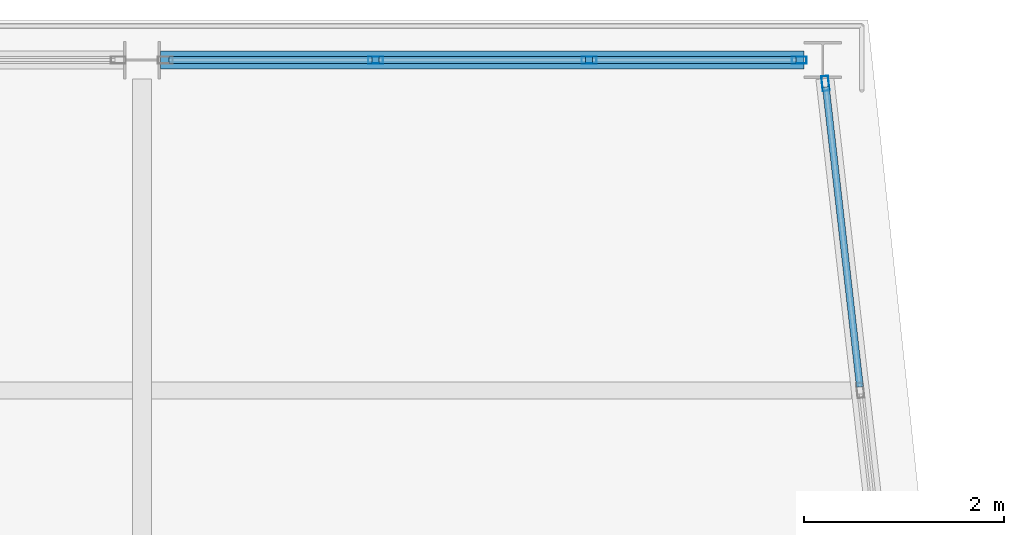
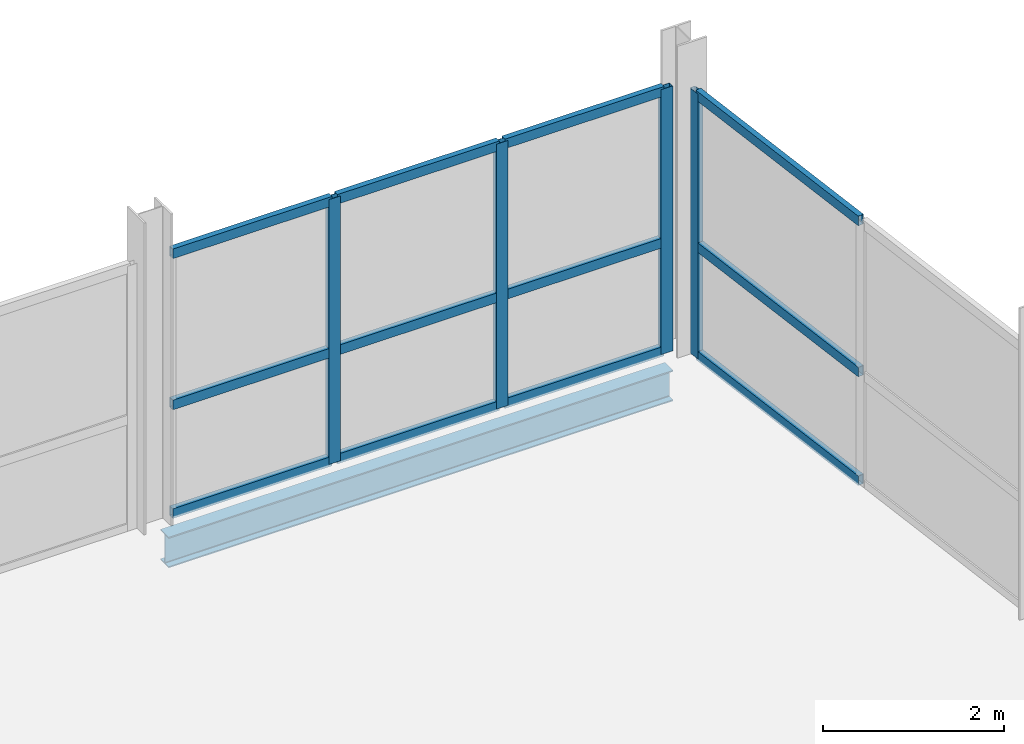
# One storey, part 13 of 20: 16 members, 1 beam, 2 elements without a shape of their own.
"""IFC4 building model written with IfcOpenShell, lengths in metres."""

from ifc_helpers import new_model, si_unit, direction, frame, origin, origin_2d, place, context, subcontext, project, spatial, hollow_rectangle, i_section, extrude, material, layer, layer_set, material_profile, profile_set, type_object, element, aggregate, save


model = new_model("IFC4")

# Units and contexts
model_context = context("Model", 3, precision=1e-05, world=origin(), true_north=direction((0.0, 1.0)))
body_context = subcontext(model_context, "Body", "Model", "MODEL_VIEW")
ifc_project = project(units=[si_unit("LENGTHUNIT", "METRE"), si_unit("AREAUNIT", "SQUARE_METRE"), si_unit("VOLUMEUNIT", "CUBIC_METRE"), si_unit("PLANEANGLEUNIT", "RADIAN"), si_unit("MASSUNIT", "GRAM", prefix="KILO")], contexts=[model_context])

# Site, building, storey
site_placement = place(None, origin())
site = spatial("IfcSite", under=ifc_project, at=site_placement, CompositionType="ELEMENT")
building_placement = place(site_placement, origin())
building = spatial("IfcBuilding", under=site, at=building_placement, Name="Quillay Park Conservatory", CompositionType="ELEMENT")
storey_placement = place(building_placement, frame((0.0, 0.0, 26.699951171875)))
storey = spatial("IfcBuildingStorey", under=building, at=storey_placement, Name="L06", CompositionType="ELEMENT", Elevation=26.699951171875)

# Curtain wall, member
ifc_material_1 = material(Name="Thermally Broken Anodised Aluminium 6063-T6", Category="aluminium")
ifc_layer = layer(ifc_material_1, 0.199951171875)
ifc_layer_set = layer_set([ifc_layer], Name="UNITISED CURTAIN WALL HERBARIUM (Thermally Broken Anodised Aluminium 6063-T6)")
curtain_wall_type = type_object("IfcCurtainWallType", Name="UNITISED CURTAIN WALL HERBARIUM", PredefinedType="USERDEFINED", material=ifc_layer_set)
curtain_wall_1_placement = place(storey_placement, origin())
curtain_wall_1 = element("IfcCurtainWall", 1, at=curtain_wall_1_placement, inside=storey, type_object=curtain_wall_type, Name="L06 Unitised Curtain Wall 064", ObjectType="UNITISED CURTAIN WALL", PredefinedType="USERDEFINED")
ifc_material_2 = material(Name="Thermally Broken Anodised Aluminium 6063-T6", Category="aluminium")
ifc_material_profile_1 = material_profile(ifc_material_2, hollow_rectangle(XDim=0.070068359375, YDim=0.14990234375, WallThickness=0.00341796875, at=origin_2d()), Name="AL70x150x3.5")
ifc_profile_set_1 = profile_set([ifc_material_profile_1], Name="Thermally Broken Anodised Aluminium 6063-T6")
member_type_1 = type_object("IfcMemberType", Name="CURTAIN WALL MULLION 70 X150", PredefinedType="MULLION", material=ifc_profile_set_1)
member_1_placement = place(storey_placement, frame((26.57666015625, 113.16650390625, 0.0), z_axis=(0.0, 0.0, 1.0), x_axis=(0.993605989969, 0.112903218278, 0.0)))
member_1 = element("IfcMember", 2, at=member_1_placement, type_object=member_type_1, Name="CW-T2 mullion 1", PredefinedType="MULLION", context=body_context, shape_type="SweptSolid", body=[
    extrude(hollow_rectangle(XDim=0.070068359375, YDim=0.14990234375, WallThickness=0.00341796875, at=origin_2d()), origin(), (0.0, 0.0, 1.0), 3.569091796875),
])

# Curtain wall, members
curtain_wall_2_placement = place(storey_placement, origin())
curtain_wall_2 = element("IfcCurtainWall", 3, at=curtain_wall_2_placement, inside=storey, type_object=curtain_wall_type, Name="L06 Unitised Curtain Wall 067", ObjectType="UNITISED CURTAIN WALL", PredefinedType="USERDEFINED")
member_2_placement = place(storey_placement, frame((22.083251953125, 113.39990234375, 0.0), z_axis=(0.0, 0.0, 1.0), x_axis=(0.0, 1.0, 0.0)))
member_2 = element("IfcMember", 4, at=member_2_placement, type_object=member_type_1, Name="CW-T2 mullion 2", PredefinedType="MULLION", context=body_context, shape_type="SweptSolid", body=[
    extrude(hollow_rectangle(XDim=0.070068359375, YDim=0.14990234375, WallThickness=0.00341796875, at=origin_2d()), origin(), (0.0, 0.0, 1.0), 3.569091796875),
])
member_3_placement = place(storey_placement, frame((24.216552734375, 113.39990234375, 0.0), z_axis=(0.0, 0.0, 1.0), x_axis=(0.0, 1.0, 0.0)))
member_3 = element("IfcMember", 5, at=member_3_placement, type_object=member_type_1, Name="CW-T2 mullion 3", PredefinedType="MULLION", context=body_context, shape_type="SweptSolid", body=[
    extrude(hollow_rectangle(XDim=0.070068359375, YDim=0.14990234375, WallThickness=0.00341796875, at=origin_2d()), origin(), (0.0, 0.0, 1.0), 3.569091796875),
])
member_4_placement = place(storey_placement, frame((26.31494140625, 113.39990234375, 0.0), z_axis=(0.0, 0.0, 1.0), x_axis=(0.0, 1.0, 0.0)))
member_4 = element("IfcMember", 6, at=member_4_placement, type_object=member_type_1, Name="CW-T2 mullion 4", PredefinedType="MULLION", context=body_context, shape_type="SweptSolid", body=[
    extrude(hollow_rectangle(XDim=0.070068359375, YDim=0.14990234375, WallThickness=0.00341796875, at=origin_2d()), origin(), (0.0, 0.0, 1.0), 3.569091796875),
])

# Member
ifc_material_3 = material(Name="Thermally Broken Anodised Aluminium 6063-T6", Category="aluminium")
ifc_material_profile_2 = material_profile(ifc_material_3, hollow_rectangle(XDim=0.070068359375, YDim=0.1298828125, WallThickness=0.003173828125, at=origin_2d()), Name="AL70x130x3.2")
ifc_profile_set_2 = profile_set([ifc_material_profile_2], Name="Thermally Broken Anodised Aluminium 6063-T6")
member_type_2 = type_object("IfcMemberType", Name="CURTAIN WALL TRANSOM 70 X130", PredefinedType="USERDEFINED", material=ifc_profile_set_2)
member_5_placement = place(storey_placement, frame((26.58056640625, 113.1318359375, 0.03515625), z_axis=(0.112909688044, -0.99360525479, 0.0), x_axis=(0.99360525479, 0.112909688044, 0.0)))
member_5 = element("IfcMember", 7, at=member_5_placement, type_object=member_type_2, Name="CW-T2 transom 1.1", ObjectType="TRANSOM", PredefinedType="USERDEFINED", context=body_context, shape_type="SweptSolid", body=[
    extrude(hollow_rectangle(XDim=0.070068359375, YDim=0.1298828125, WallThickness=0.003173828125, at=origin_2d()), origin(), (0.0, 0.0, 1.0), 3.016357421875),
])

member_6_placement = place(storey_placement, frame((26.58056640625, 113.1318359375, 1.4990234375), z_axis=(0.112909688044, -0.99360525479, 0.0), x_axis=(0.99360525479, 0.112909688044, 0.0)))
member_6 = element("IfcMember", 8, at=member_6_placement, type_object=member_type_2, Name="CW-T2 transom 1.2", ObjectType="TRANSOM", PredefinedType="USERDEFINED", context=body_context, shape_type="SweptSolid", body=[
    extrude(hollow_rectangle(XDim=0.070068359375, YDim=0.1298828125, WallThickness=0.003173828125, at=origin_2d()), origin(), (0.0, 0.0, 1.0), 3.016357421875),
])

member_7_placement = place(storey_placement, frame((26.58056640625, 113.1318359375, 3.533935546875), z_axis=(0.112909688044, -0.99360525479, 0.0), x_axis=(0.99360525479, 0.112909688044, 0.0)))
member_7 = element("IfcMember", 9, at=member_7_placement, type_object=member_type_2, Name="CW-T2 transom 1.3", ObjectType="TRANSOM", PredefinedType="USERDEFINED", context=body_context, shape_type="SweptSolid", body=[
    extrude(hollow_rectangle(XDim=0.070068359375, YDim=0.1298828125, WallThickness=0.003173828125, at=origin_2d()), origin(), (0.0, 0.0, 1.0), 3.016357421875),
])

aggregate(curtain_wall_1, [member_1, member_5, member_6, member_7])

member_8_placement = place(storey_placement, frame((20.02001953125, 113.39990234375, 0.03515625), z_axis=(1.0, 0.0, 0.0), x_axis=(0.0, 1.0, 0.0)))
member_8 = element("IfcMember", 10, at=member_8_placement, type_object=member_type_2, Name="CW-T2 transom 1.1", ObjectType="TRANSOM", PredefinedType="USERDEFINED", context=body_context, shape_type="SweptSolid", body=[
    extrude(hollow_rectangle(XDim=0.070068359375, YDim=0.1298828125, WallThickness=0.003173828125, at=origin_2d()), origin(), (0.0, 0.0, 1.0), 2.0283203125),
])

member_9_placement = place(storey_placement, frame((20.02001953125, 113.39990234375, 1.4990234375), z_axis=(1.0, 0.0, 0.0), x_axis=(0.0, 1.0, 0.0)))
member_9 = element("IfcMember", 11, at=member_9_placement, type_object=member_type_2, Name="CW-T2 transom 1.2", ObjectType="TRANSOM", PredefinedType="USERDEFINED", context=body_context, shape_type="SweptSolid", body=[
    extrude(hollow_rectangle(XDim=0.070068359375, YDim=0.1298828125, WallThickness=0.003173828125, at=origin_2d()), origin(), (0.0, 0.0, 1.0), 2.0283203125),
])

member_10_placement = place(storey_placement, frame((20.02001953125, 113.39990234375, 3.533935546875), z_axis=(1.0, 0.0, 0.0), x_axis=(0.0, 1.0, 0.0)))
member_10 = element("IfcMember", 12, at=member_10_placement, type_object=member_type_2, Name="CW-T2 transom 1.3", ObjectType="TRANSOM", PredefinedType="USERDEFINED", context=body_context, shape_type="SweptSolid", body=[
    extrude(hollow_rectangle(XDim=0.070068359375, YDim=0.1298828125, WallThickness=0.003173828125, at=origin_2d()), origin(), (0.0, 0.0, 1.0), 2.0283203125),
])

member_11_placement = place(storey_placement, frame((22.118408203125, 113.39990234375, 0.03515625), z_axis=(1.0, 0.0, 0.0), x_axis=(0.0, 1.0, 0.0)))
member_11 = element("IfcMember", 13, at=member_11_placement, type_object=member_type_2, Name="CW-T2 transom 2.1", ObjectType="TRANSOM", PredefinedType="USERDEFINED", context=body_context, shape_type="SweptSolid", body=[
    extrude(hollow_rectangle(XDim=0.070068359375, YDim=0.1298828125, WallThickness=0.003173828125, at=origin_2d()), origin(), (0.0, 0.0, 1.0), 2.063232421875),
])

member_12_placement = place(storey_placement, frame((22.118408203125, 113.39990234375, 1.4990234375), z_axis=(1.0, 0.0, 0.0), x_axis=(0.0, 1.0, 0.0)))
member_12 = element("IfcMember", 14, at=member_12_placement, type_object=member_type_2, Name="CW-T2 transom 2.2", ObjectType="TRANSOM", PredefinedType="USERDEFINED", context=body_context, shape_type="SweptSolid", body=[
    extrude(hollow_rectangle(XDim=0.070068359375, YDim=0.1298828125, WallThickness=0.003173828125, at=origin_2d()), origin(), (0.0, 0.0, 1.0), 2.063232421875),
])

member_13_placement = place(storey_placement, frame((22.118408203125, 113.39990234375, 3.533935546875), z_axis=(1.0, 0.0, 0.0), x_axis=(0.0, 1.0, 0.0)))
member_13 = element("IfcMember", 15, at=member_13_placement, type_object=member_type_2, Name="CW-T2 transom 2.3", ObjectType="TRANSOM", PredefinedType="USERDEFINED", context=body_context, shape_type="SweptSolid", body=[
    extrude(hollow_rectangle(XDim=0.070068359375, YDim=0.1298828125, WallThickness=0.003173828125, at=origin_2d()), origin(), (0.0, 0.0, 1.0), 2.063232421875),
])

member_14_placement = place(storey_placement, frame((24.251708984375, 113.39990234375, 0.03515625), z_axis=(1.0, 0.0, 0.0), x_axis=(0.0, 1.0, 0.0)))
member_14 = element("IfcMember", 16, at=member_14_placement, type_object=member_type_2, Name="CW-T2 transom 3.1", ObjectType="TRANSOM", PredefinedType="USERDEFINED", context=body_context, shape_type="SweptSolid", body=[
    extrude(hollow_rectangle(XDim=0.070068359375, YDim=0.1298828125, WallThickness=0.003173828125, at=origin_2d()), origin(), (0.0, 0.0, 1.0), 2.0283203125),
])

member_15_placement = place(storey_placement, frame((24.251708984375, 113.39990234375, 1.4990234375), z_axis=(1.0, 0.0, 0.0), x_axis=(0.0, 1.0, 0.0)))
member_15 = element("IfcMember", 17, at=member_15_placement, type_object=member_type_2, Name="CW-T2 transom 3.2", ObjectType="TRANSOM", PredefinedType="USERDEFINED", context=body_context, shape_type="SweptSolid", body=[
    extrude(hollow_rectangle(XDim=0.070068359375, YDim=0.1298828125, WallThickness=0.003173828125, at=origin_2d()), origin(), (0.0, 0.0, 1.0), 2.0283203125),
])

member_16_placement = place(storey_placement, frame((24.251708984375, 113.39990234375, 3.533935546875), z_axis=(1.0, 0.0, 0.0), x_axis=(0.0, 1.0, 0.0)))
member_16 = element("IfcMember", 18, at=member_16_placement, type_object=member_type_2, Name="CW-T2 transom 3.3", ObjectType="TRANSOM", PredefinedType="USERDEFINED", context=body_context, shape_type="SweptSolid", body=[
    extrude(hollow_rectangle(XDim=0.070068359375, YDim=0.1298828125, WallThickness=0.003173828125, at=origin_2d()), origin(), (0.0, 0.0, 1.0), 2.0283203125),
])

aggregate(curtain_wall_2, [member_2, member_3, member_4, member_8, member_9, member_10, member_11, member_12, member_13, member_14, member_15, member_16])

# Beam
ifc_material_4 = material(Name="Steel ASTM A992 Grade 50", Category="steel")
ifc_material_profile_3 = material_profile(ifc_material_4, i_section(OverallWidth=0.179931640625, OverallDepth=0.4130859375, WebThickness=0.009765625, FlangeThickness=0.01611328125, FilletRadius=0.011962890625, at=origin_2d()), Name="W410x74")
ifc_profile_set_3 = profile_set([ifc_material_profile_3], Name="Steel ASTM A992 Grade 50")
beam_type = type_object("IfcBeamType", Name="PERIMETER SPANDREL BEAM W410 X74", PredefinedType="SPANDREL", material=ifc_profile_set_3)
beam_placement = place(storey_placement, frame((19.93603515625, 113.39990234375, -0.426513671875), z_axis=(1.0, 0.0, 0.0), x_axis=(0.0, 1.0, 0.0)))
element("IfcBeam", 19, at=beam_placement, inside=storey, type_object=beam_type, Name="L06 beam BM-SP-0469", PredefinedType="SPANDREL", context=body_context, shape_type="SweptSolid", body=[
    extrude(i_section(OverallWidth=0.179931640625, OverallDepth=0.4130859375, WebThickness=0.009765625, FlangeThickness=0.01611328125, FilletRadius=0.011962890625, at=origin_2d()), origin(), (0.0, 0.0, 1.0), 6.427001953125),
])

save(model, "model.ifc")
